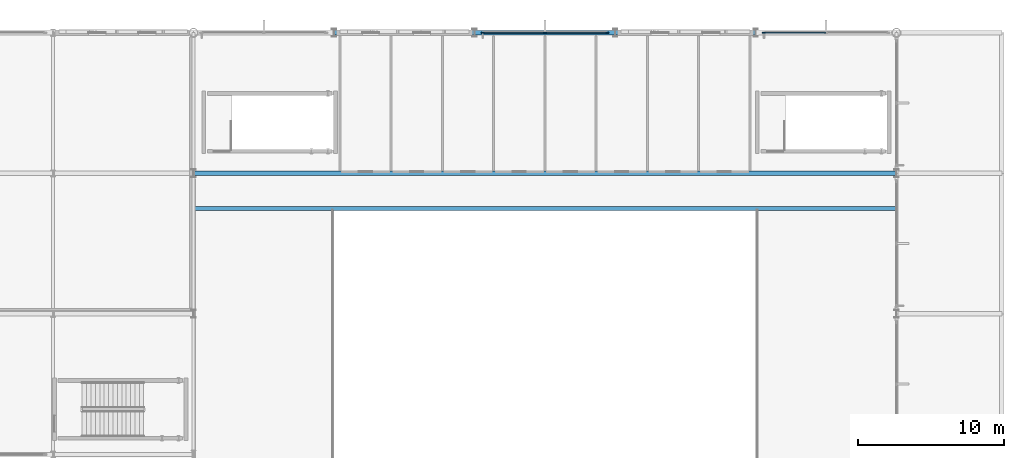
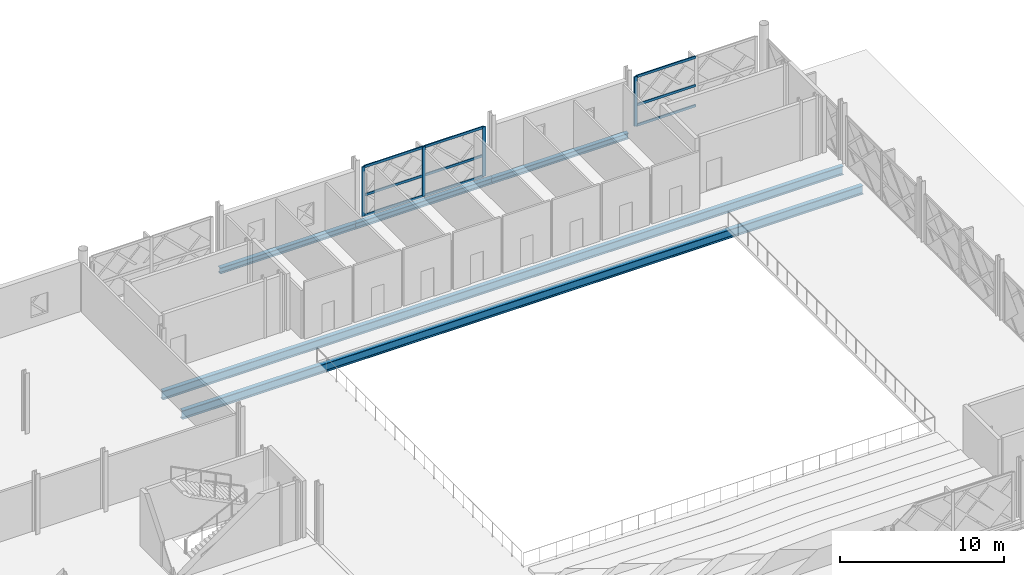
# One storey, part 57 of 101: 13 members, 5 beams, 2 elements without a shape of their own.
"""IFC4 building model written with IfcOpenShell, lengths in metres."""

from ifc_helpers import new_model, si_unit, direction, frame, origin, origin_2d, place, context, subcontext, project, spatial, rectangle, i_section, extrude, material, layer, layer_set, material_profile, profile_set, type_object, element, aggregate, save


model = new_model("IFC4")

# Units and contexts
model_context = context("Model", 3, precision=1e-05, world=origin(), true_north=direction((0.0, 1.0)))
body_context = subcontext(model_context, "Body", "Model", "MODEL_VIEW")
ifc_project = project(units=[si_unit("LENGTHUNIT", "METRE"), si_unit("AREAUNIT", "SQUARE_METRE"), si_unit("VOLUMEUNIT", "CUBIC_METRE"), si_unit("PLANEANGLEUNIT", "RADIAN"), si_unit("MASSUNIT", "GRAM", prefix="KILO")], contexts=[model_context])

# Site, building, storey
site_placement = place(None, origin())
site = spatial("IfcSite", under=ifc_project, at=site_placement, CompositionType="ELEMENT")
building_placement = place(site_placement, origin())
building = spatial("IfcBuilding", under=site, at=building_placement, Name="Zevrakil Square Congress Hotel", CompositionType="ELEMENT")
storey_placement = place(building_placement, frame((0.0, 0.0, 5.39990234375)))
storey = spatial("IfcBuildingStorey", under=building, at=storey_placement, Name="L02", CompositionType="ELEMENT", Elevation=5.39990234375)

# Beams
ifc_material_1 = material(Name="Steel S355", Category="steel")
ifc_material_profile_1 = material_profile(ifc_material_1, i_section(OverallWidth=0.300048828125, OverallDepth=0.43994140625, WebThickness=0.011474609375, FlangeThickness=0.02099609375, FilletRadius=0.027099609375, at=origin_2d()), Name="HEA 450")
ifc_profile_set_1 = profile_set([ifc_material_profile_1], Name="Steel S355")
beam_type_1 = type_object("IfcBeamType", Name="BM-HEA450", PredefinedType="BEAM", material=ifc_profile_set_1)
beam_1_placement = place(storey_placement, frame((127.199951171875, 112.800048828125, -0.47998046875), z_axis=(1.0, 0.0, 0.0), x_axis=(0.0, 1.0, 0.0)))
element("IfcBeam", 1, at=beam_1_placement, inside=storey, type_object=beam_type_1, Name="L02 primary girder BX-0813", PredefinedType="BEAM", context=body_context, shape_type="SweptSolid", body=[
    extrude(i_section(OverallWidth=0.300048828125, OverallDepth=0.43994140625, WebThickness=0.011474609375, FlangeThickness=0.02099609375, FilletRadius=0.027099609375, at=origin_2d()), origin(), (0.0, 0.0, 1.0), 9.60009765625),
])
beam_2_placement = place(storey_placement, frame((136.800048828125, 112.800048828125, -0.47998046875), z_axis=(1.0, 0.0, 0.0), x_axis=(0.0, 1.0, 0.0)))
element("IfcBeam", 2, at=beam_2_placement, inside=storey, type_object=beam_type_1, Name="L02 primary girder BX-0814", PredefinedType="BEAM", context=body_context, shape_type="SweptSolid", body=[
    extrude(i_section(OverallWidth=0.300048828125, OverallDepth=0.43994140625, WebThickness=0.011474609375, FlangeThickness=0.02099609375, FilletRadius=0.027099609375, at=origin_2d()), origin(), (0.0, 0.0, 1.0), 9.599853515625),
])
beam_3_placement = place(storey_placement, frame((146.39990234375, 112.800048828125, -0.47998046875), z_axis=(1.0, 0.0, 0.0), x_axis=(0.0, 1.0, 0.0)))
element("IfcBeam", 3, at=beam_3_placement, inside=storey, type_object=beam_type_1, Name="L02 primary girder BX-0815", PredefinedType="BEAM", context=body_context, shape_type="SweptSolid", body=[
    extrude(i_section(OverallWidth=0.300048828125, OverallDepth=0.43994140625, WebThickness=0.011474609375, FlangeThickness=0.02099609375, FilletRadius=0.027099609375, at=origin_2d()), origin(), (0.0, 0.0, 1.0), 9.60009765625),
])
ifc_material_2 = material(Name="Steel S355", Category="steel")
ifc_material_profile_2 = material_profile(ifc_material_2, i_section(OverallWidth=0.300048828125, OverallDepth=0.64990234375, WebThickness=0.01611328125, FlangeThickness=0.031005859375, FilletRadius=0.027099609375, at=origin_2d()), Name="HEB 650")
ifc_profile_set_2 = profile_set([ifc_material_profile_2], Name="Steel S355")
beam_type_2 = type_object("IfcBeamType", Name="BM-HEB650", PredefinedType="BEAM", material=ifc_profile_set_2)
for number, where, z_axis, x_axis, name in (
    (4, (117.60009765625, 100.800048828125, -0.5849609375), (1.0, 0.0, 0.0), (0.0, 1.0, 0.0), "L02 congress hall long-span gallery girder 2"),
    (5, (117.60009765625, 103.199951171875, -0.5849609375), (1.0, 0.0, 0.0), (0.0, 1.0, 0.0), "L02 congress hall long-span gallery girder 3"),
):
    element("IfcBeam", number, at=place(storey_placement, frame(where, z_axis=z_axis, x_axis=x_axis)), inside=storey, type_object=beam_type_2, Name=name, PredefinedType="BEAM", context=body_context, shape_type="SweptSolid", body=[
        extrude(i_section(OverallWidth=0.300048828125, OverallDepth=0.64990234375, WebThickness=0.01611328125, FlangeThickness=0.031005859375, FilletRadius=0.027099609375, at=origin_2d()), origin(), (0.0, 0.0, 1.0), 48.0),
    ])

# Curtain wall, members
ifc_material_3 = material(Name="Aluminium Anodised Bronze", Category="aluminium")
ifc_layer = layer(ifc_material_3, 0.179931640625)
ifc_layer_set = layer_set([ifc_layer], Name="Aluminium Anodised Bronze")
curtain_wall_type = type_object("IfcCurtainWallType", Name="CW-L02-840", PredefinedType="USERDEFINED", material=ifc_layer_set)
curtain_wall_1_placement = place(storey_placement, origin())
curtain_wall_1 = element("IfcCurtainWall", 6, at=curtain_wall_1_placement, inside=storey, type_object=curtain_wall_type, Name="L02 diamond curtain wall CW-L02-0046", ObjectType="GLAZED CURTAIN WALL", PredefinedType="USERDEFINED")
ifc_material_4 = material(Name="Aluminium Anodised Bronze", Category="aluminium")
ifc_material_profile_3 = material_profile(ifc_material_4, rectangle(XDim=0.0849609375, YDim=0.179931640625, at=origin_2d()), Name="ALU 85x180")
ifc_profile_set_3 = profile_set([ifc_material_profile_3], Name="Aluminium Anodised Bronze")
member_type_1 = type_object("IfcMemberType", Name="CWM-ALU85x180", PredefinedType="USERDEFINED", material=ifc_profile_set_3)
member_1_placement = place(storey_placement, frame((137.3798828125, 112.800048828125, 0.030029296875), z_axis=(1.0, 0.0, 0.0), x_axis=(0.0, 1.0, 0.0)))
member_1 = element("IfcMember", 7, at=member_1_placement, type_object=member_type_1, Name="CW-23 transom 1.1", ObjectType="TRANSOM", PredefinedType="USERDEFINED", context=body_context, shape_type="SweptSolid", body=[
    extrude(rectangle(XDim=0.0849609375, YDim=0.179931640625, at=origin_2d()), origin(), (0.0, 0.0, 1.0), 4.190185546875),
])
member_2_placement = place(storey_placement, frame((137.3798828125, 112.800048828125, 1.5478515625), z_axis=(1.0, 0.0, 0.0), x_axis=(0.0, 1.0, 0.0)))
member_2 = element("IfcMember", 8, at=member_2_placement, type_object=member_type_1, Name="CW-23 transom 1.2", ObjectType="TRANSOM", PredefinedType="USERDEFINED", context=body_context, shape_type="SweptSolid", body=[
    extrude(rectangle(XDim=0.0849609375, YDim=0.179931640625, at=origin_2d()), origin(), (0.0, 0.0, 1.0), 4.190185546875),
])
member_3_placement = place(storey_placement, frame((137.3798828125, 112.800048828125, 3.655029296875), z_axis=(1.0, 0.0, 0.0), x_axis=(0.0, 1.0, 0.0)))
member_3 = element("IfcMember", 9, at=member_3_placement, type_object=member_type_1, Name="CW-23 transom 1.3", ObjectType="TRANSOM", PredefinedType="USERDEFINED", context=body_context, shape_type="SweptSolid", body=[
    extrude(rectangle(XDim=0.0849609375, YDim=0.179931640625, at=origin_2d()), origin(), (0.0, 0.0, 1.0), 4.190185546875),
])
member_4_placement = place(storey_placement, frame((141.6298828125, 112.800048828125, 0.030029296875), z_axis=(1.0, 0.0, 0.0), x_axis=(0.0, 1.0, 0.0)))
member_4 = element("IfcMember", 10, at=member_4_placement, type_object=member_type_1, Name="CW-23 transom 2.1", ObjectType="TRANSOM", PredefinedType="USERDEFINED", context=body_context, shape_type="SweptSolid", body=[
    extrude(rectangle(XDim=0.0849609375, YDim=0.179931640625, at=origin_2d()), origin(), (0.0, 0.0, 1.0), 4.190185546875),
])
member_5_placement = place(storey_placement, frame((141.6298828125, 112.800048828125, 1.5478515625), z_axis=(1.0, 0.0, 0.0), x_axis=(0.0, 1.0, 0.0)))
member_5 = element("IfcMember", 11, at=member_5_placement, type_object=member_type_1, Name="CW-23 transom 2.2", ObjectType="TRANSOM", PredefinedType="USERDEFINED", context=body_context, shape_type="SweptSolid", body=[
    extrude(rectangle(XDim=0.0849609375, YDim=0.179931640625, at=origin_2d()), origin(), (0.0, 0.0, 1.0), 4.190185546875),
])
member_6_placement = place(storey_placement, frame((141.6298828125, 112.800048828125, 3.655029296875), z_axis=(1.0, 0.0, 0.0), x_axis=(0.0, 1.0, 0.0)))
member_6 = element("IfcMember", 12, at=member_6_placement, type_object=member_type_1, Name="CW-23 transom 2.3", ObjectType="TRANSOM", PredefinedType="USERDEFINED", context=body_context, shape_type="SweptSolid", body=[
    extrude(rectangle(XDim=0.0849609375, YDim=0.179931640625, at=origin_2d()), origin(), (0.0, 0.0, 1.0), 4.190185546875),
])

curtain_wall_2_placement = place(storey_placement, origin())
curtain_wall_2 = element("IfcCurtainWall", 13, at=curtain_wall_2_placement, inside=storey, type_object=curtain_wall_type, Name="L02 diamond curtain wall CW-L02-0048", ObjectType="GLAZED CURTAIN WALL", PredefinedType="USERDEFINED")
member_7_placement = place(storey_placement, frame((156.580078125, 112.800048828125, 0.030029296875), z_axis=(1.0, 0.0, 0.0), x_axis=(0.0, 1.0, 0.0)))
member_7 = element("IfcMember", 14, at=member_7_placement, type_object=member_type_1, Name="CW-23 transom 1.1", ObjectType="TRANSOM", PredefinedType="USERDEFINED", context=body_context, shape_type="SweptSolid", body=[
    extrude(rectangle(XDim=0.0849609375, YDim=0.179931640625, at=origin_2d()), origin(), (0.0, 0.0, 1.0), 4.18994140625),
])
member_8_placement = place(storey_placement, frame((156.580078125, 112.800048828125, 1.5478515625), z_axis=(1.0, 0.0, 0.0), x_axis=(0.0, 1.0, 0.0)))
member_8 = element("IfcMember", 15, at=member_8_placement, type_object=member_type_1, Name="CW-23 transom 1.2", ObjectType="TRANSOM", PredefinedType="USERDEFINED", context=body_context, shape_type="SweptSolid", body=[
    extrude(rectangle(XDim=0.0849609375, YDim=0.179931640625, at=origin_2d()), origin(), (0.0, 0.0, 1.0), 4.18994140625),
])
member_9_placement = place(storey_placement, frame((156.580078125, 112.800048828125, 3.655029296875), z_axis=(1.0, 0.0, 0.0), x_axis=(0.0, 1.0, 0.0)))
member_9 = element("IfcMember", 16, at=member_9_placement, type_object=member_type_1, Name="CW-23 transom 1.3", ObjectType="TRANSOM", PredefinedType="USERDEFINED", context=body_context, shape_type="SweptSolid", body=[
    extrude(rectangle(XDim=0.0849609375, YDim=0.179931640625, at=origin_2d()), origin(), (0.0, 0.0, 1.0), 4.18994140625),
])

# Member
ifc_material_5 = material(Name="Aluminium Anodised Bronze", Category="aluminium")
ifc_material_profile_4 = material_profile(ifc_material_5, rectangle(XDim=0.0849609375, YDim=0.219970703125, at=origin_2d()), Name="ALU 85x220")
ifc_profile_set_4 = profile_set([ifc_material_profile_4], Name="Aluminium Anodised Bronze")
member_type_2 = type_object("IfcMemberType", Name="CWM-ALU85x220", PredefinedType="MULLION", material=ifc_profile_set_4)
member_10_placement = place(storey_placement, frame((137.35009765625, 112.800048828125, 0.0), z_axis=(0.0, 0.0, 1.0), x_axis=(0.0, 1.0, 0.0)))
member_10 = element("IfcMember", 17, at=member_10_placement, type_object=member_type_2, Name="CW-23 mullion 1", PredefinedType="MULLION", context=body_context, shape_type="SweptSolid", body=[
    extrude(rectangle(XDim=0.0849609375, YDim=0.219970703125, at=origin_2d()), origin(), (0.0, 0.0, 1.0), 3.68505859375),
])

member_11_placement = place(storey_placement, frame((141.60009765625, 112.800048828125, 0.0), z_axis=(0.0, 0.0, 1.0), x_axis=(0.0, 1.0, 0.0)))
member_11 = element("IfcMember", 18, at=member_11_placement, type_object=member_type_2, Name="CW-23 mullion 2", PredefinedType="MULLION", context=body_context, shape_type="SweptSolid", body=[
    extrude(rectangle(XDim=0.0849609375, YDim=0.219970703125, at=origin_2d()), origin(), (0.0, 0.0, 1.0), 3.68505859375),
])

member_12_placement = place(storey_placement, frame((145.85009765625, 112.800048828125, 0.0), z_axis=(0.0, 0.0, 1.0), x_axis=(0.0, 1.0, 0.0)))
member_12 = element("IfcMember", 19, at=member_12_placement, type_object=member_type_2, Name="CW-23 mullion 3", PredefinedType="MULLION", context=body_context, shape_type="SweptSolid", body=[
    extrude(rectangle(XDim=0.0849609375, YDim=0.219970703125, at=origin_2d()), origin(), (0.0, 0.0, 1.0), 3.68505859375),
])

aggregate(curtain_wall_1, [member_10, member_11, member_12, member_1, member_2, member_3, member_4, member_5, member_6])

member_13_placement = place(storey_placement, frame((156.550048828125, 112.800048828125, 0.0), z_axis=(0.0, 0.0, 1.0), x_axis=(0.0, 1.0, 0.0)))
member_13 = element("IfcMember", 20, at=member_13_placement, type_object=member_type_2, Name="CW-23 mullion 1", PredefinedType="MULLION", context=body_context, shape_type="SweptSolid", body=[
    extrude(rectangle(XDim=0.0849609375, YDim=0.219970703125, at=origin_2d()), origin(), (0.0, 0.0, 1.0), 3.68505859375),
])

aggregate(curtain_wall_2, [member_13, member_7, member_8, member_9])

save(model, "model.ifc")
